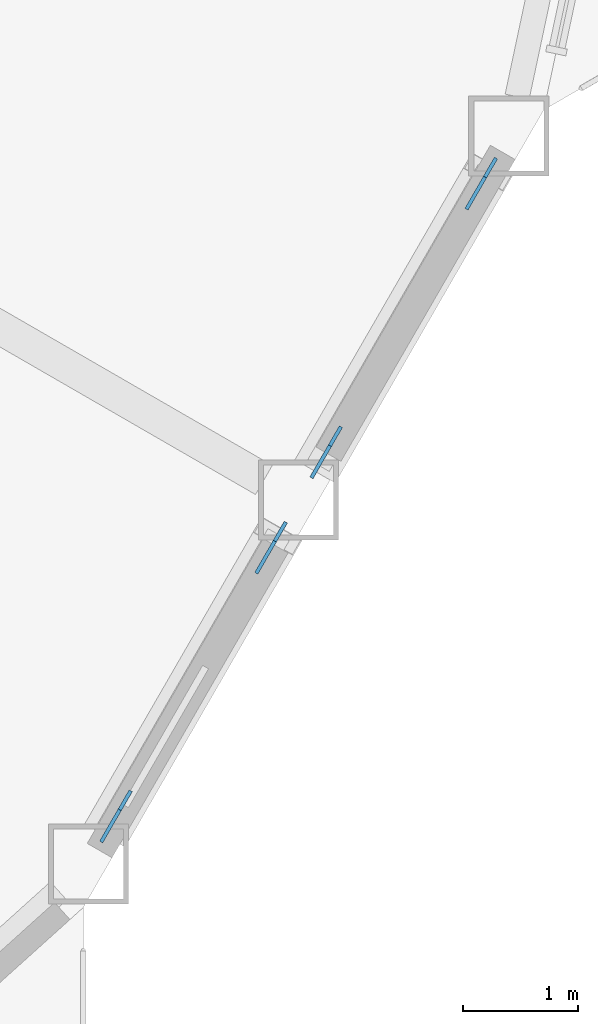
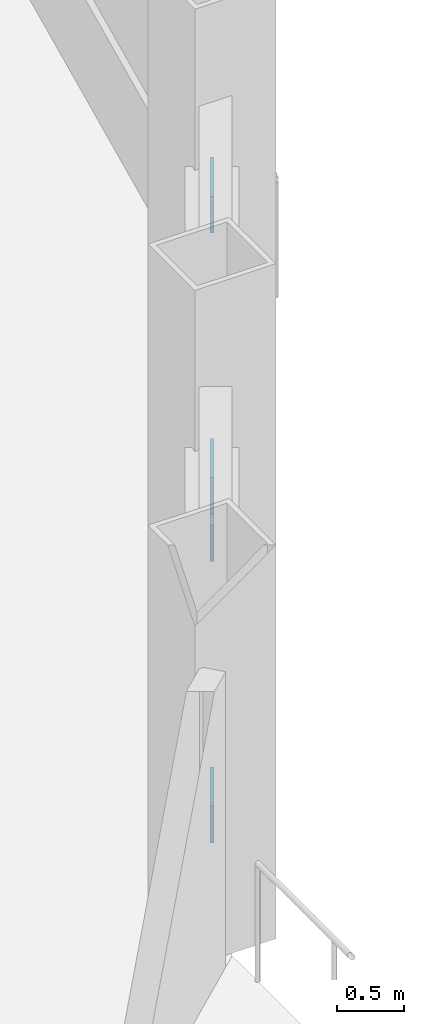
# One storey, part 17 of 23: 4 discrete accessories.
"""IFC4 building model written with IfcOpenShell, lengths in metres."""

from ifc_helpers import new_model, si_unit, direction, frame, origin, origin_2d, place, context, subcontext, project, spatial, rectangle, extrude, material, material_profile, profile_set, type_object, element, save


model = new_model("IFC4")

# Units and contexts
model_context = context("Model", 3, precision=1e-05, world=origin(), true_north=direction((0.0, 1.0)))
body_context = subcontext(model_context, "Body", "Model", "MODEL_VIEW")
ifc_project = project(units=[si_unit("LENGTHUNIT", "METRE"), si_unit("AREAUNIT", "SQUARE_METRE"), si_unit("VOLUMEUNIT", "CUBIC_METRE"), si_unit("PLANEANGLEUNIT", "RADIAN"), si_unit("MASSUNIT", "GRAM", prefix="KILO")], contexts=[model_context])

# Site, building, storey
site_placement = place(None, origin())
site = spatial("IfcSite", under=ifc_project, at=site_placement, CompositionType="ELEMENT")
building_placement = place(site_placement, origin())
building = spatial("IfcBuilding", under=site, at=building_placement, Name="Cormorant Prow Tower", CompositionType="ELEMENT")
storey_placement = place(building_placement, frame((0.0, 0.0, 256.199951171875)))
storey = spatial("IfcBuildingStorey", under=building, at=storey_placement, Name="L57", CompositionType="ELEMENT", Elevation=256.199951171875)

# Discrete accessories
ifc_material = material(Name="Structural steel ASTM A500 Gr C", Category="steel")
ifc_material_profile = material_profile(ifc_material, rectangle(XDim=0.031982421875, YDim=0.506103515625, at=origin_2d()), Name="Gusset plate 32x506")
ifc_profile_set = profile_set([ifc_material_profile], Name="Structural steel ASTM A500 Gr C")
discrete_accessory_type = type_object("IfcDiscreteAccessoryType", Name="Gusset plate 32x506", PredefinedType="BRACKET", material=ifc_profile_set)
discrete_accessory_1_placement = place(storey_placement, frame((26.262939453125, -18.658203125, 0.863037109375), z_axis=(-0.462949952395, -0.801795851286, -0.37788987078), x_axis=(0.866010015463, -0.500026652407, 0.0)))
element("IfcDiscreteAccessory", 1, at=discrete_accessory_1_placement, inside=storey, type_object=discrete_accessory_type, Name="Gusset plate GP2 L57.ESE00.g0", PredefinedType="BRACKET", context=body_context, shape_type="SweptSolid", body=[
    extrude(rectangle(XDim=0.031982421875, YDim=0.506103515625, at=origin_2d()), origin(), (0.0, 0.0, 1.0), 0.35009765625),
])
discrete_accessory_2_placement = place(storey_placement, frame((27.454833984375, -16.59375, 1.837890625), z_axis=(0.462538490196, 0.801593854051, 0.378821116405), x_axis=(-0.866147934042, 0.499787711288, 0.0)))
element("IfcDiscreteAccessory", 2, at=discrete_accessory_2_placement, inside=storey, type_object=discrete_accessory_type, Name="Gusset plate GP2 L57.ESE00.g1", PredefinedType="BRACKET", context=body_context, shape_type="SweptSolid", body=[
    extrude(rectangle(XDim=0.031982421875, YDim=0.506103515625, at=origin_2d()), origin(), (0.0, 0.0, 1.0), 0.349853515625),
])
discrete_accessory_3_placement = place(storey_placement, frame((28.09814453125, -15.4794921875, 0.863037109375), z_axis=(-0.462949952395, -0.801795851286, -0.37788987078), x_axis=(0.866010015463, -0.500026652407, 0.0)))
element("IfcDiscreteAccessory", 3, at=discrete_accessory_3_placement, inside=storey, type_object=discrete_accessory_type, Name="Gusset plate GP2 L57.ESE01.g0", PredefinedType="BRACKET", context=body_context, shape_type="SweptSolid", body=[
    extrude(rectangle(XDim=0.031982421875, YDim=0.506103515625, at=origin_2d()), origin(), (0.0, 0.0, 1.0), 0.35009765625),
])
discrete_accessory_4_placement = place(storey_placement, frame((29.2900390625, -13.4150390625, 1.837890625), z_axis=(0.462538490196, 0.801593854051, 0.378821116405), x_axis=(-0.866147934042, 0.499787711288, 0.0)))
element("IfcDiscreteAccessory", 4, at=discrete_accessory_4_placement, inside=storey, type_object=discrete_accessory_type, Name="Gusset plate GP2 L57.ESE01.g1", PredefinedType="BRACKET", context=body_context, shape_type="SweptSolid", body=[
    extrude(rectangle(XDim=0.031982421875, YDim=0.506103515625, at=origin_2d()), origin(), (0.0, 0.0, 1.0), 0.349853515625),
])

save(model, "model.ifc")
